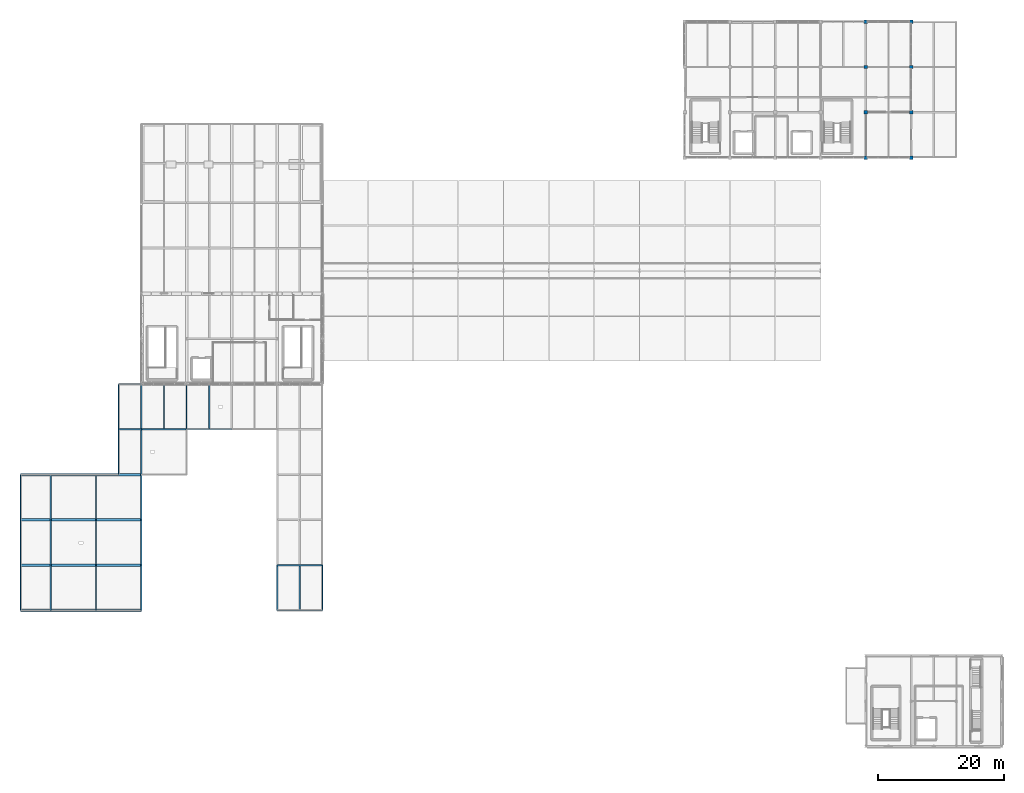
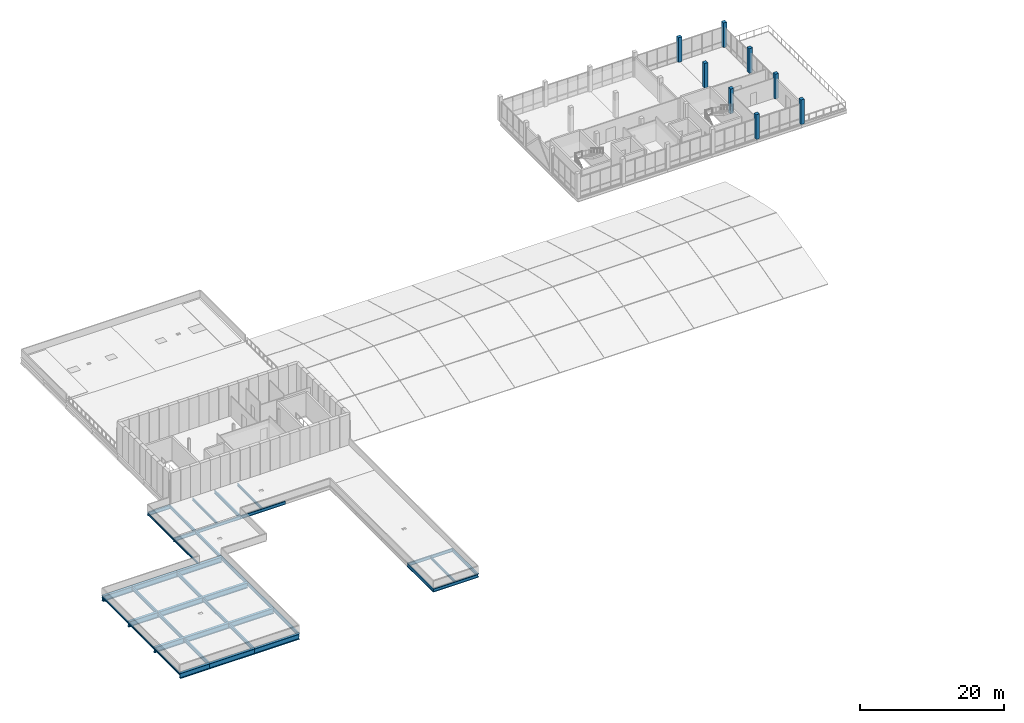
# One storey, part 4 of 47: 40 beams, 8 columns.
"""IFC4 building model written with IfcOpenShell, lengths in metres."""

from ifc_helpers import new_model, si_unit, direction, frame, origin, origin_2d, place, context, subcontext, project, spatial, rectangle, i_section, extrude, material, material_profile, profile_set, type_object, element, save


model = new_model("IFC4")

# Units and contexts
model_context = context("Model", 3, precision=1e-05, world=origin(), true_north=direction((0.0, 1.0)))
body_context = subcontext(model_context, "Body", "Model", "MODEL_VIEW")
ifc_project = project(units=[si_unit("LENGTHUNIT", "METRE"), si_unit("AREAUNIT", "SQUARE_METRE"), si_unit("VOLUMEUNIT", "CUBIC_METRE"), si_unit("PLANEANGLEUNIT", "RADIAN"), si_unit("MASSUNIT", "GRAM", prefix="KILO")], contexts=[model_context])

# Site, building, storey
site_placement = place(None, origin())
site = spatial("IfcSite", under=ifc_project, at=site_placement, CompositionType="ELEMENT")
building_placement = place(site_placement, origin())
building = spatial("IfcBuilding", under=site, at=building_placement, Name="Yarey Park Central Fire Station", CompositionType="ELEMENT")
storey_placement = place(building_placement, frame((0.0, 0.0, 18.0)))
storey = spatial("IfcBuildingStorey", under=building, at=storey_placement, Name="L05", CompositionType="ELEMENT", Elevation=18.0)

# Columns
ifc_material_1 = material(Name="Concrete C40/50", Category="concrete")
ifc_material_profile_1 = material_profile(ifc_material_1, rectangle(XDim=0.550048828125, YDim=0.550048828125, at=origin_2d()), Name="RC 550x550")
ifc_profile_set_1 = profile_set([ifc_material_profile_1], Name="Concrete C40/50")
column_type_1 = type_object("IfcColumnType", Name="STR_COL_RC550_EXT", PredefinedType="COLUMN", material=ifc_profile_set_1)
for number, where, z_axis, x_axis, name in (
    (1, (144.0, 93.60009765625, 0.0), (0.0, 0.0, 1.0), (1.0, 0.0, 0.0), "COL_L05_X1440_Y936"),
    (2, (144.0, 115.199951171875, 0.0), (0.0, 0.0, 1.0), (1.0, 0.0, 0.0), "COL_L05_X1440_Y1152"),
    (3, (151.199951171875, 93.60009765625, 0.0), (0.0, 0.0, 1.0), (1.0, 0.0, 0.0), "COL_L05_X1512_Y936"),
    (4, (151.199951171875, 100.800048828125, 0.0), (0.0, 0.0, 1.0), (1.0, 0.0, 0.0), "COL_L05_X1512_Y1008"),
    (5, (151.199951171875, 108.0, 0.0), (0.0, 0.0, 1.0), (1.0, 0.0, 0.0), "COL_L05_X1512_Y1080"),
    (6, (151.199951171875, 115.199951171875, 0.0), (0.0, 0.0, 1.0), (1.0, 0.0, 0.0), "COL_L05_X1512_Y1152"),
):
    element("IfcColumn", number, at=place(storey_placement, frame(where, z_axis=z_axis, x_axis=x_axis)), inside=storey, type_object=column_type_1, Name=name, PredefinedType="COLUMN", context=body_context, shape_type="SweptSolid", body=[
        extrude(rectangle(XDim=0.550048828125, YDim=0.550048828125, at=origin_2d()), origin(), (0.0, 0.0, 1.0), 4.199951171875),
    ])
ifc_material_profile_2 = material_profile(ifc_material_1, rectangle(XDim=0.550048828125, YDim=0.550048828125, at=origin_2d()), Name="RC 550x550")
ifc_profile_set_2 = profile_set([ifc_material_profile_2], Name="Concrete C40/50")
column_type_2 = type_object("IfcColumnType", Name="STR_COL_RC550_INT", PredefinedType="COLUMN", material=ifc_profile_set_2)
for number, where, z_axis, x_axis, name in (
    (7, (144.0, 100.800048828125, 0.0), (0.0, 0.0, 1.0), (1.0, 0.0, 0.0), "COL_L05_X1440_Y1008"),
    (8, (144.0, 108.0, 0.0), (0.0, 0.0, 1.0), (1.0, 0.0, 0.0), "COL_L05_X1440_Y1080"),
):
    element("IfcColumn", number, at=place(storey_placement, frame(where, z_axis=z_axis, x_axis=x_axis)), inside=storey, type_object=column_type_2, Name=name, PredefinedType="COLUMN", context=body_context, shape_type="SweptSolid", body=[
        extrude(rectangle(XDim=0.550048828125, YDim=0.550048828125, at=origin_2d()), origin(), (0.0, 0.0, 1.0), 4.199951171875),
    ])

# Beams
ifc_material_2 = material(Name="Steel ASTM A992 Gr. 50", Category="steel")
ifc_material_profile_3 = material_profile(ifc_material_2, i_section(OverallWidth=0.208984375, OverallDepth=0.532958984375, WebThickness=0.01025390625, FlangeThickness=0.015625, at=origin_2d()), Name="W530x92")
ifc_profile_set_3 = profile_set([ifc_material_profile_3], Name="Steel ASTM A992 Gr. 50")
beam_type_1 = type_object("IfcBeamType", Name="STR_BM_W530", PredefinedType="BEAM", material=ifc_profile_set_3)
for number, where, z_axis, x_axis, name in (
    (9, (50.39990234375, 21.60009765625, -0.4765625), (1.0, 0.0, 0.0), (0.0, 1.0, 0.0), "BMX L05 Y216 X504"),
    (10, (50.39990234375, 28.800048828125, -0.4765625), (1.0, 0.0, 0.0), (0.0, 1.0, 0.0), "BMX L05 Y288 X504"),
):
    element("IfcBeam", number, at=place(storey_placement, frame(where, z_axis=z_axis, x_axis=x_axis)), inside=storey, type_object=beam_type_1, Name=name, PredefinedType="BEAM", context=body_context, shape_type="SweptSolid", body=[
        extrude(i_section(OverallWidth=0.208984375, OverallDepth=0.532958984375, WebThickness=0.01025390625, FlangeThickness=0.015625, at=origin_2d()), origin(), (0.0, 0.0, 1.0), 7.2001953125),
    ])
for number, where, z_axis, x_axis, name in (
    (11, (28.800048828125, 50.39990234375, -0.4765625), (1.0, 0.0, 0.0), (0.0, 1.0, 0.0), "BMX L05 Y504 X288"),
    (12, (36.0, 50.39990234375, -0.4765625), (1.0, 0.0, 0.0), (0.0, 1.0, 0.0), "BMX L05 Y504 X360"),
    (13, (28.800048828125, 21.60009765625, -0.4765625), (0.0, 1.0, 0.0), (-1.0, 0.0, 0.0), "BMY L05 X288 Y216"),
    (14, (28.800048828125, 28.800048828125, -0.4765625), (0.0, 1.0, 0.0), (-1.0, 0.0, 0.0), "BMY L05 X288 Y288"),
    (15, (28.800048828125, 36.0, -0.4765625), (0.0, 1.0, 0.0), (-1.0, 0.0, 0.0), "BMY L05 X288 Y360"),
    (16, (28.800048828125, 43.199951171875, -0.4765625), (0.0, 1.0, 0.0), (-1.0, 0.0, 0.0), "BMY L05 X288 Y432"),
):
    element("IfcBeam", number, at=place(storey_placement, frame(where, z_axis=z_axis, x_axis=x_axis)), inside=storey, type_object=beam_type_1, Name=name, PredefinedType="BEAM", context=body_context, shape_type="SweptSolid", body=[
        extrude(i_section(OverallWidth=0.208984375, OverallDepth=0.532958984375, WebThickness=0.01025390625, FlangeThickness=0.015625, at=origin_2d()), origin(), (0.0, 0.0, 1.0), 7.199951171875),
    ])
for number, where, z_axis, x_axis, name in (
    (17, (28.800048828125, 50.39990234375, -0.4765625), (0.0, 1.0, 0.0), (-1.0, 0.0, 0.0), "BMY L05 X288 Y504"),
    (18, (36.0, 50.39990234375, -0.4765625), (0.0, 1.0, 0.0), (-1.0, 0.0, 0.0), "BMY L05 X360 Y504"),
):
    element("IfcBeam", number, at=place(storey_placement, frame(where, z_axis=z_axis, x_axis=x_axis)), inside=storey, type_object=beam_type_1, Name=name, PredefinedType="BEAM", context=body_context, shape_type="SweptSolid", body=[
        extrude(i_section(OverallWidth=0.208984375, OverallDepth=0.532958984375, WebThickness=0.01025390625, FlangeThickness=0.015625, at=origin_2d()), origin(), (0.0, 0.0, 1.0), 7.2001953125),
    ])
for number, where, z_axis, x_axis, name in (
    (19, (50.39990234375, 21.60009765625, -0.4765625), (0.0, 1.0, 0.0), (-1.0, 0.0, 0.0), "BMY L05 X504 Y216"),
    (20, (57.60009765625, 21.60009765625, -0.4765625), (0.0, 1.0, 0.0), (-1.0, 0.0, 0.0), "BMY L05 X576 Y216"),
):
    element("IfcBeam", number, at=place(storey_placement, frame(where, z_axis=z_axis, x_axis=x_axis)), inside=storey, type_object=beam_type_1, Name=name, PredefinedType="BEAM", context=body_context, shape_type="SweptSolid", body=[
        extrude(i_section(OverallWidth=0.208984375, OverallDepth=0.532958984375, WebThickness=0.01025390625, FlangeThickness=0.015625, at=origin_2d()), origin(), (0.0, 0.0, 1.0), 7.199951171875),
    ])
ifc_material_profile_4 = material_profile(ifc_material_2, i_section(OverallWidth=0.22900390625, OverallDepth=0.612060546875, WebThickness=0.011962890625, FlangeThickness=0.01953125, at=origin_2d()), Name="W610x125")
ifc_profile_set_4 = profile_set([ifc_material_profile_4], Name="Steel ASTM A992 Gr. 50")
beam_type_2 = type_object("IfcBeamType", Name="STR_BM_W610", PredefinedType="BEAM", material=ifc_profile_set_4)
for number, where, z_axis, x_axis, name in (
    (21, (14.39990234375, 21.60009765625, -0.51611328125), (0.0, 1.0, 0.0), (-1.0, 0.0, 0.0), "DRUM BMY14 L05 Y216"),
    (22, (21.60009765625, 21.60009765625, -0.51611328125), (0.0, 1.0, 0.0), (-1.0, 0.0, 0.0), "DRUM BMY21 L05 Y216"),
    (23, (14.39990234375, 28.800048828125, -0.51611328125), (0.0, 1.0, 0.0), (-1.0, 0.0, 0.0), "DRUM BMY14 L05 Y288"),
    (24, (21.60009765625, 28.800048828125, -0.51611328125), (0.0, 1.0, 0.0), (-1.0, 0.0, 0.0), "DRUM BMY21 L05 Y288"),
    (25, (14.39990234375, 36.0, -0.51611328125), (0.0, 1.0, 0.0), (-1.0, 0.0, 0.0), "DRUM BMY14 L05 Y360"),
    (26, (21.60009765625, 36.0, -0.51611328125), (0.0, 1.0, 0.0), (-1.0, 0.0, 0.0), "DRUM BMY21 L05 Y360"),
):
    element("IfcBeam", number, at=place(storey_placement, frame(where, z_axis=z_axis, x_axis=x_axis)), inside=storey, type_object=beam_type_2, Name=name, PredefinedType="BEAM", context=body_context, shape_type="SweptSolid", body=[
        extrude(i_section(OverallWidth=0.22900390625, OverallDepth=0.612060546875, WebThickness=0.011962890625, FlangeThickness=0.01953125, at=origin_2d()), origin(), (0.0, 0.0, 1.0), 7.199951171875),
    ])
ifc_material_profile_5 = material_profile(ifc_material_2, i_section(OverallWidth=0.22900390625, OverallDepth=0.612060546875, WebThickness=0.011962890625, FlangeThickness=0.01953125, at=origin_2d()), Name="W610x125")
ifc_profile_set_5 = profile_set([ifc_material_profile_5], Name="Steel ASTM A992 Gr. 50")
beam_type_3 = type_object("IfcBeamType", Name="STR_BM_W610E", PredefinedType="BEAM", material=ifc_profile_set_5)
for number, where, z_axis, x_axis, name in (
    (27, (25.199951171875, 50.39990234375, -0.51611328125), (1.0, 0.0, 0.0), (0.0, 1.0, 0.0), "WCANT OUT L05 Y504"),
    (28, (25.199951171875, 57.60009765625, -0.51611328125), (1.0, 0.0, 0.0), (0.0, 1.0, 0.0), "WCANT OUT L05 Y576"),
):
    element("IfcBeam", number, at=place(storey_placement, frame(where, z_axis=z_axis, x_axis=x_axis)), inside=storey, type_object=beam_type_3, Name=name, PredefinedType="BEAM", context=body_context, shape_type="SweptSolid", body=[
        extrude(i_section(OverallWidth=0.22900390625, OverallDepth=0.612060546875, WebThickness=0.011962890625, FlangeThickness=0.01953125, at=origin_2d()), origin(), (0.0, 0.0, 1.0), 3.60009765625),
    ])
ifc_material_profile_6 = material_profile(ifc_material_2, i_section(OverallWidth=0.41796875, OverallDepth=0.912109375, WebThickness=0.019287109375, FlangeThickness=0.031982421875, at=origin_2d()), Name="W920x342")
ifc_profile_set_6 = profile_set([ifc_material_profile_6], Name="Steel ASTM A992 Gr. 50")
beam_type_4 = type_object("IfcBeamType", Name="STR_BM_W920", PredefinedType="BEAM", material=ifc_profile_set_6)
beam_1_placement = place(storey_placement, frame((14.39990234375, 21.60009765625, -0.666015625), z_axis=(1.0, 0.0, 0.0), x_axis=(0.0, 1.0, 0.0)))
element("IfcBeam", 29, at=beam_1_placement, inside=storey, type_object=beam_type_4, Name="DRUM GIRD1 L05 Y216", PredefinedType="BEAM", context=body_context, shape_type="SweptSolid", body=[
    extrude(i_section(OverallWidth=0.41796875, OverallDepth=0.912109375, WebThickness=0.019287109375, FlangeThickness=0.031982421875, at=origin_2d()), origin(), (0.0, 0.0, 1.0), 7.2001953125),
])
beam_2_placement = place(storey_placement, frame((21.60009765625, 21.60009765625, -0.666015625), z_axis=(1.0, 0.0, 0.0), x_axis=(0.0, 1.0, 0.0)))
element("IfcBeam", 30, at=beam_2_placement, inside=storey, type_object=beam_type_4, Name="DRUM GIRD2 L05 Y216", PredefinedType="BEAM", context=body_context, shape_type="SweptSolid", body=[
    extrude(i_section(OverallWidth=0.41796875, OverallDepth=0.912109375, WebThickness=0.019287109375, FlangeThickness=0.031982421875, at=origin_2d()), origin(), (0.0, 0.0, 1.0), 7.199951171875),
])
beam_3_placement = place(storey_placement, frame((14.39990234375, 28.800048828125, -0.666015625), z_axis=(1.0, 0.0, 0.0), x_axis=(0.0, 1.0, 0.0)))
element("IfcBeam", 31, at=beam_3_placement, inside=storey, type_object=beam_type_4, Name="DRUM GIRD1 L05 Y288", PredefinedType="BEAM", context=body_context, shape_type="SweptSolid", body=[
    extrude(i_section(OverallWidth=0.41796875, OverallDepth=0.912109375, WebThickness=0.019287109375, FlangeThickness=0.031982421875, at=origin_2d()), origin(), (0.0, 0.0, 1.0), 7.2001953125),
])
beam_4_placement = place(storey_placement, frame((21.60009765625, 28.800048828125, -0.666015625), z_axis=(1.0, 0.0, 0.0), x_axis=(0.0, 1.0, 0.0)))
element("IfcBeam", 32, at=beam_4_placement, inside=storey, type_object=beam_type_4, Name="DRUM GIRD2 L05 Y288", PredefinedType="BEAM", context=body_context, shape_type="SweptSolid", body=[
    extrude(i_section(OverallWidth=0.41796875, OverallDepth=0.912109375, WebThickness=0.019287109375, FlangeThickness=0.031982421875, at=origin_2d()), origin(), (0.0, 0.0, 1.0), 7.199951171875),
])
beam_5_placement = place(storey_placement, frame((14.39990234375, 36.0, -0.666015625), z_axis=(1.0, 0.0, 0.0), x_axis=(0.0, 1.0, 0.0)))
element("IfcBeam", 33, at=beam_5_placement, inside=storey, type_object=beam_type_4, Name="DRUM GIRD1 L05 Y360", PredefinedType="BEAM", context=body_context, shape_type="SweptSolid", body=[
    extrude(i_section(OverallWidth=0.41796875, OverallDepth=0.912109375, WebThickness=0.019287109375, FlangeThickness=0.031982421875, at=origin_2d()), origin(), (0.0, 0.0, 1.0), 7.2001953125),
])
beam_6_placement = place(storey_placement, frame((21.60009765625, 36.0, -0.666015625), z_axis=(1.0, 0.0, 0.0), x_axis=(0.0, 1.0, 0.0)))
element("IfcBeam", 34, at=beam_6_placement, inside=storey, type_object=beam_type_4, Name="DRUM GIRD2 L05 Y360", PredefinedType="BEAM", context=body_context, shape_type="SweptSolid", body=[
    extrude(i_section(OverallWidth=0.41796875, OverallDepth=0.912109375, WebThickness=0.019287109375, FlangeThickness=0.031982421875, at=origin_2d()), origin(), (0.0, 0.0, 1.0), 7.199951171875),
])
beam_7_placement = place(storey_placement, frame((14.39990234375, 43.199951171875, -0.666015625), z_axis=(1.0, 0.0, 0.0), x_axis=(0.0, 1.0, 0.0)))
element("IfcBeam", 35, at=beam_7_placement, inside=storey, type_object=beam_type_4, Name="DRUM GIRD1 L05 Y432", PredefinedType="BEAM", context=body_context, shape_type="SweptSolid", body=[
    extrude(i_section(OverallWidth=0.41796875, OverallDepth=0.912109375, WebThickness=0.019287109375, FlangeThickness=0.031982421875, at=origin_2d()), origin(), (0.0, 0.0, 1.0), 7.2001953125),
])
beam_8_placement = place(storey_placement, frame((21.60009765625, 43.199951171875, -0.666015625), z_axis=(1.0, 0.0, 0.0), x_axis=(0.0, 1.0, 0.0)))
element("IfcBeam", 36, at=beam_8_placement, inside=storey, type_object=beam_type_4, Name="DRUM GIRD2 L05 Y432", PredefinedType="BEAM", context=body_context, shape_type="SweptSolid", body=[
    extrude(i_section(OverallWidth=0.41796875, OverallDepth=0.912109375, WebThickness=0.019287109375, FlangeThickness=0.031982421875, at=origin_2d()), origin(), (0.0, 0.0, 1.0), 7.199951171875),
])
ifc_material_profile_7 = material_profile(ifc_material_2, i_section(OverallWidth=0.41796875, OverallDepth=0.912109375, WebThickness=0.019287109375, FlangeThickness=0.031982421875, at=origin_2d()), Name="W920x342")
ifc_profile_set_7 = profile_set([ifc_material_profile_7], Name="Steel ASTM A992 Gr. 50")
beam_type_5 = type_object("IfcBeamType", Name="STR_BM_W920E", PredefinedType="BEAM", material=ifc_profile_set_7)
for number, where, z_axis, x_axis, name in (
    (37, (9.60009765625, 21.60009765625, -0.666015625), (1.0, 0.0, 0.0), (0.0, 1.0, 0.0), "DRUM CANT L05 Y216"),
    (38, (9.60009765625, 28.800048828125, -0.666015625), (1.0, 0.0, 0.0), (0.0, 1.0, 0.0), "DRUM CANT L05 Y288"),
    (39, (9.60009765625, 36.0, -0.666015625), (1.0, 0.0, 0.0), (0.0, 1.0, 0.0), "DRUM CANT L05 Y360"),
    (40, (9.60009765625, 43.199951171875, -0.666015625), (1.0, 0.0, 0.0), (0.0, 1.0, 0.0), "DRUM CANT L05 Y432"),
):
    element("IfcBeam", number, at=place(storey_placement, frame(where, z_axis=z_axis, x_axis=x_axis)), inside=storey, type_object=beam_type_5, Name=name, PredefinedType="BEAM", context=body_context, shape_type="SweptSolid", body=[
        extrude(i_section(OverallWidth=0.41796875, OverallDepth=0.912109375, WebThickness=0.019287109375, FlangeThickness=0.031982421875, at=origin_2d()), origin(), (0.0, 0.0, 1.0), 4.7998046875),
    ])
ifc_material_profile_8 = material_profile(ifc_material_2, i_section(OverallWidth=0.177978515625, OverallDepth=0.406982421875, WebThickness=0.0078125, FlangeThickness=0.0126953125, at=origin_2d()), Name="W410x60")
ifc_profile_set_8 = profile_set([ifc_material_profile_8], Name="Steel ASTM A992 Gr. 50")
beam_type_6 = type_object("IfcBeamType", Name="STR_JST_W410", PredefinedType="JOIST", material=ifc_profile_set_8)
for number, where, z_axis, x_axis, name in (
    (41, (32.39990234375, 50.4951171875, -0.41357421875), (0.0, 1.0, 0.0), (-1.0, 0.0, 0.0), "JST L05 X324 Y504"),
    (42, (39.60009765625, 50.4951171875, -0.41357421875), (0.0, 1.0, 0.0), (-1.0, 0.0, 0.0), "JST L05 X396 Y504"),
):
    element("IfcBeam", number, at=place(storey_placement, frame(where, z_axis=z_axis, x_axis=x_axis)), inside=storey, type_object=beam_type_6, Name=name, PredefinedType="JOIST", context=body_context, shape_type="SweptSolid", body=[
        extrude(i_section(OverallWidth=0.177978515625, OverallDepth=0.406982421875, WebThickness=0.0078125, FlangeThickness=0.0126953125, at=origin_2d()), origin(), (0.0, 0.0, 1.0), 7.009765625),
    ])
beam_9_placement = place(storey_placement, frame((54.0, 21.695068359375, -0.41357421875), z_axis=(0.0, 1.0, 0.0), x_axis=(-1.0, 0.0, 0.0)))
element("IfcBeam", 43, at=beam_9_placement, inside=storey, type_object=beam_type_6, Name="JST L05 X540 Y216", PredefinedType="JOIST", context=body_context, shape_type="SweptSolid", body=[
    extrude(i_section(OverallWidth=0.177978515625, OverallDepth=0.406982421875, WebThickness=0.0078125, FlangeThickness=0.0126953125, at=origin_2d()), origin(), (0.0, 0.0, 1.0), 7.010009765625),
])
ifc_material_profile_9 = material_profile(ifc_material_2, i_section(OverallWidth=0.1650390625, OverallDepth=0.31005859375, WebThickness=0.005859375, FlangeThickness=0.009765625, at=origin_2d()), Name="W310x39")
ifc_profile_set_9 = profile_set([ifc_material_profile_9], Name="Steel ASTM A992 Gr. 50")
beam_type_7 = type_object("IfcBeamType", Name="STR_SPN_W310", PredefinedType="SPANDREL", material=ifc_profile_set_9)
for number, where, z_axis, x_axis, name in (
    (44, (9.60009765625, 21.60009765625, -0.364990234375), (0.0, 1.0, 0.0), (-1.0, 0.0, 0.0), "DRUM EDG L05 Y216"),
    (45, (9.60009765625, 28.800048828125, -0.364990234375), (0.0, 1.0, 0.0), (-1.0, 0.0, 0.0), "DRUM EDG L05 Y288"),
    (46, (9.60009765625, 36.0, -0.364990234375), (0.0, 1.0, 0.0), (-1.0, 0.0, 0.0), "DRUM EDG L05 Y360"),
    (47, (25.199951171875, 43.199951171875, -0.364990234375), (0.0, 1.0, 0.0), (-1.0, 0.0, 0.0), "WCANT EDG L05 Y432"),
):
    element("IfcBeam", number, at=place(storey_placement, frame(where, z_axis=z_axis, x_axis=x_axis)), inside=storey, type_object=beam_type_7, Name=name, PredefinedType="SPANDREL", context=body_context, shape_type="SweptSolid", body=[
        extrude(i_section(OverallWidth=0.1650390625, OverallDepth=0.31005859375, WebThickness=0.005859375, FlangeThickness=0.009765625, at=origin_2d()), origin(), (0.0, 0.0, 1.0), 7.199951171875),
    ])
beam_10_placement = place(storey_placement, frame((25.199951171875, 50.39990234375, -0.364990234375), z_axis=(0.0, 1.0, 0.0), x_axis=(-1.0, 0.0, 0.0)))
element("IfcBeam", 48, at=beam_10_placement, inside=storey, type_object=beam_type_7, Name="WCANT EDG L05 Y504", PredefinedType="SPANDREL", context=body_context, shape_type="SweptSolid", body=[
    extrude(i_section(OverallWidth=0.1650390625, OverallDepth=0.31005859375, WebThickness=0.005859375, FlangeThickness=0.009765625, at=origin_2d()), origin(), (0.0, 0.0, 1.0), 7.2001953125),
])

save(model, "model.ifc")
